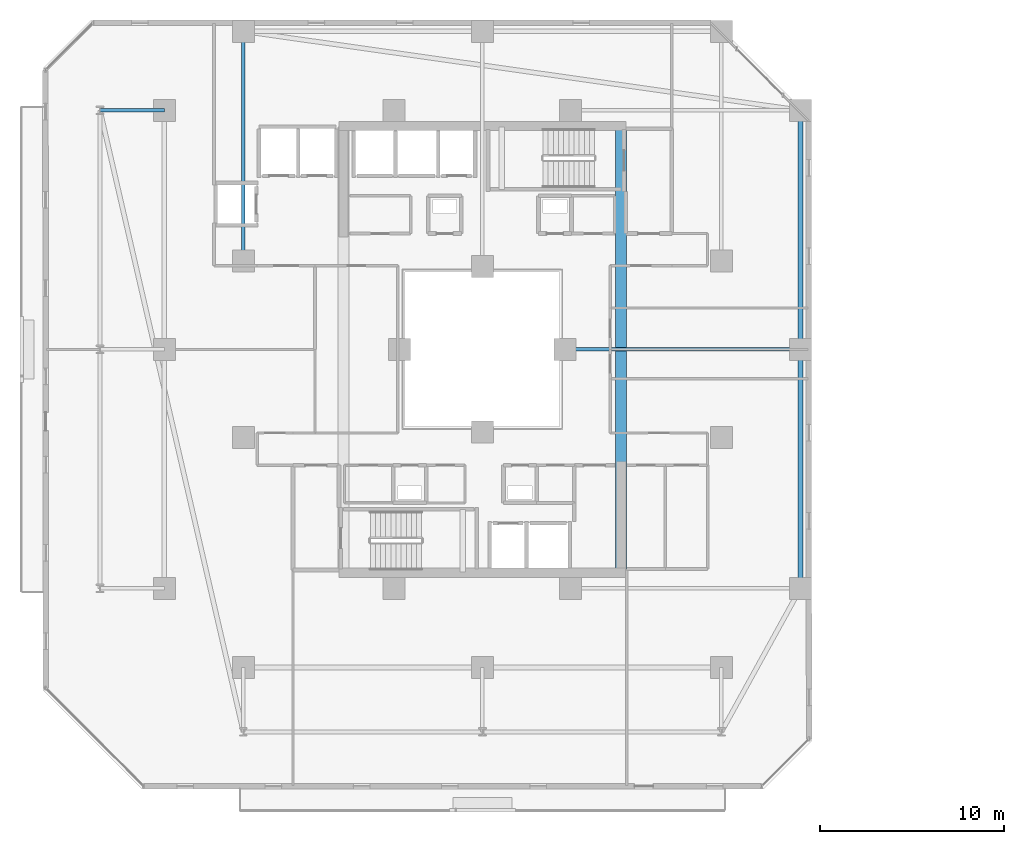
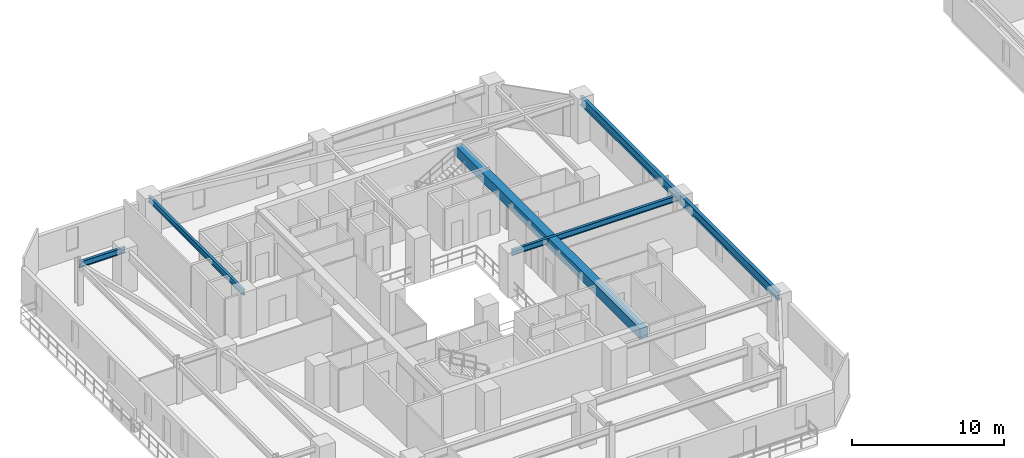
# One storey, part 6 of 33: 6 beams.
"""IFC4 building model written with IfcOpenShell, lengths in metres."""

import ifcopenshell
import ifcopenshell.guid

model = None  # the IFC model being written
_history = None  # IfcOwnerHistory: only IFC2X3 demands one
_inside = {}  # id of a spatial element -> (the spatial element, [elements in it])
_under = {}  # id of a project, library or spatial element -> (it, [spatial elements below it])
_declared = {}  # id of a project -> (the project, [libraries it declares])
_typed = {}  # id of a type object -> (the type object, [elements of that type])
_made_of = {}  # id of a material, layer set ... -> (it, [elements and type objects made of it])


def new_model(schema):
    """Start an empty IFC model of exactly this schema.

    Asked for "IFC4X3", IfcOpenShell would pick the latest addendum, in which some entities
    have other attributes; the version numbers below select the first issue.
    IFC2X3 requires an IfcOwnerHistory on every rooted entity: one is made here for all.
    """
    global model, _history
    if schema == "IFC4X3":
        model = ifcopenshell.file(schema_version=(4, 3, 0, 0))
    else:
        model = ifcopenshell.file(schema=schema)
    _inside.clear()
    _under.clear()
    _declared.clear()
    _typed.clear()
    _made_of.clear()
    _history = None
    if model.schema == "IFC2X3":
        org = make("IfcOrganization", Name="unknown")
        user = make(
            "IfcPersonAndOrganization",
            ThePerson=make("IfcPerson", FamilyName="unknown"),
            TheOrganization=org,
        )
        app = make(
            "IfcApplication",
            ApplicationDeveloper=org,
            Version="unknown",
            ApplicationFullName="unknown",
            ApplicationIdentifier="unknown",
        )
        _history = make(
            "IfcOwnerHistory",
            OwningUser=user,
            OwningApplication=app,
            ChangeAction="ADDED",
            CreationDate=0,
        )
    return model


def make(cls, **values):
    """One entity of the class cls with the attributes given. An attribute that is None is left unset."""
    return model.create_entity(
        cls, **{name: value for name, value in values.items() if value is not None}
    )


def rooted(cls, **values):
    """An entity with a GlobalId (a new one), such as an element, a storey or a relation."""
    return make(cls, GlobalId=ifcopenshell.guid.new(), OwnerHistory=_history, **values)


def si_unit(unit_type, name, prefix=None):
    """IfcSIUnit, for example si_unit("LENGTHUNIT", "METRE", prefix="MILLI")."""
    return make("IfcSIUnit", UnitType=unit_type, Prefix=prefix, Name=name)


def assignment(units):
    """IfcUnitAssignment: the units of a project."""
    return None if units is None else make("IfcUnitAssignment", Units=units)


def point(xyz):
    """IfcCartesianPoint."""
    return None if xyz is None else make("IfcCartesianPoint", Coordinates=xyz)


def direction(xyz):
    """IfcDirection."""
    return None if xyz is None else make("IfcDirection", DirectionRatios=xyz)


def frame(location, z_axis=None, x_axis=None):
    """IfcAxis2Placement3D, a coordinate frame: its origin and axes. An axis left out is left unset."""
    return make(
        "IfcAxis2Placement3D",
        Location=point(location),
        Axis=direction(z_axis),
        RefDirection=direction(x_axis),
    )


def frame_2d(location, x_axis=None):
    """IfcAxis2Placement2D, a coordinate frame in the plane: its origin and x axis."""
    return make(
        "IfcAxis2Placement2D", Location=point(location), RefDirection=direction(x_axis)
    )


def origin():
    """The frame at (0, 0, 0) with its axes left unset."""
    return frame((0.0, 0.0, 0.0))


def origin_2d():
    """The frame at (0, 0) in the plane with its x axis left unset."""
    return frame_2d((0.0, 0.0))


def place(relative_to, where):
    """IfcLocalPlacement: puts the frame where relative to a parent placement (None: the world)."""
    return make(
        "IfcLocalPlacement", PlacementRelTo=relative_to, RelativePlacement=where
    )


def context(
    kind, dimensions, precision=None, world=None, true_north=None, identifier=None
):
    """IfcGeometricRepresentationContext, for example the 3D "Model" context."""
    return make(
        "IfcGeometricRepresentationContext",
        ContextIdentifier=identifier,
        ContextType=kind,
        CoordinateSpaceDimension=dimensions,
        Precision=precision,
        WorldCoordinateSystem=world,
        TrueNorth=true_north,
    )


def subcontext(parent, identifier, kind, view, scale=None):
    """IfcGeometricRepresentationSubContext, for example "Body" below "Model"."""
    return make(
        "IfcGeometricRepresentationSubContext",
        ContextIdentifier=identifier,
        ContextType=kind,
        ParentContext=parent,
        TargetScale=scale,
        TargetView=view,
    )


def project(units=None, contexts=None):
    """IfcProject with its units and contexts."""
    return rooted(
        "IfcProject",
        Name="project",
        RepresentationContexts=contexts,
        UnitsInContext=assignment(units),
    )


def spatial(cls, under=None, at=None, **own):
    """A site, building, storey or space (cls), placed at a placement, below another one or the project."""
    s = rooted(cls, ObjectPlacement=at, **own)
    if under is not None:
        _under.setdefault(under.id(), (under, []))[1].append(s)
    return s


def profile(cls, at=None, kind="AREA", **sizes):
    """A parametric profile (cls). Its sizes go by their IFC names, for example OverallWidth=200.0."""
    return make(cls, ProfileType=kind, Position=at, **sizes)


def rectangle(**sizes):
    """IfcRectangleProfileDef."""
    return profile("IfcRectangleProfileDef", **sizes)


def i_section(**sizes):
    """IfcIShapeProfileDef."""
    return profile("IfcIShapeProfileDef", **sizes)


def extrude(swept, where, along, depth):
    """IfcExtrudedAreaSolid: the profile swept, set in the frame where, extruded along a direction by depth."""
    return make(
        "IfcExtrudedAreaSolid",
        SweptArea=swept,
        Position=where,
        ExtrudedDirection=direction(along),
        Depth=depth,
    )


def shape(context_of_items, identifier, shape_type, items):
    """IfcShapeRepresentation: the items that make up one representation, for example the "Body"."""
    return make(
        "IfcShapeRepresentation",
        ContextOfItems=context_of_items,
        RepresentationIdentifier=identifier,
        RepresentationType=shape_type,
        Items=items,
    )


def material(Name=None, Category=None):
    """IfcMaterial."""
    return make("IfcMaterial", Name=Name, Category=Category)


def material_profile(
    of_material, cross_section, Name=None, Category=None, Priority=None
):
    """IfcMaterialProfile: a cross section and its material."""
    return make(
        "IfcMaterialProfile",
        Name=Name,
        Material=of_material,
        Profile=cross_section,
        Priority=Priority,
        Category=Category,
    )


def profile_set(profiles, Name=None, composite=None):
    """IfcMaterialProfileSet."""
    return make(
        "IfcMaterialProfileSet",
        Name=Name,
        MaterialProfiles=profiles,
        CompositeProfile=composite,
    )


def made_of(thing, what):
    """Note that an element or type object is made of a material, layer set ...; save() writes the relation."""
    if what is not None:
        _made_of.setdefault(what.id(), (what, []))[1].append(thing)
    return thing


def type_object(cls, material=None, **own):
    """A type object (cls), such as IfcWallType, which elements share."""
    return made_of(rooted(cls, **own), material)


def element(
    cls,
    number,
    at=None,
    inside=None,
    cuts=None,
    type_object=None,
    material=None,
    context=None,
    identifier="Body",
    shape_type=None,
    held_by="IfcProductDefinitionShape",
    body=None,
    shapes=None,
    **own,
):
    """One element of the class cls, such as IfcWall. Its Tag is "e" and its number.

    at: its placement. inside: the storey or other place that contains it. cuts: it is an
    opening in that element (IfcRelVoidsElement). A single representation is given by context,
    identifier, shape_type and body (its items); several are given by shapes. held_by: the class
    of the entity that holds the representations. save() writes the other relations.
    """
    e = rooted(cls, Tag="e%d" % number, ObjectPlacement=at, **own)
    if body is not None:
        shapes = [shape(context, identifier, shape_type, body)]
    if shapes is not None:
        e.Representation = make(held_by, Representations=shapes)
    if inside is not None:
        _inside.setdefault(inside.id(), (inside, []))[1].append(e)
    if cuts is not None:
        rooted(
            "IfcRelVoidsElement", RelatingBuildingElement=cuts, RelatedOpeningElement=e
        )
    if type_object is not None:
        _typed.setdefault(type_object.id(), (type_object, []))[1].append(e)
    return made_of(e, material)


def aggregate(whole, parts):
    """IfcRelAggregates: a whole, such as a stair, and the parts it consists of."""
    return rooted("IfcRelAggregates", RelatingObject=whole, RelatedObjects=parts)


def save(model, path):
    """Write the relations noted so far, then the file.

    IfcRelAggregates (storeys below a building ...), IfcRelContainedInSpatialStructure (elements
    in a storey), IfcRelDefinesByType, IfcRelAssociatesMaterial and IfcRelDeclares: one each for
    every whole, place, type object, material and project.
    """
    for whole, parts in _under.values():
        aggregate(whole, parts)
    for where, things in _inside.values():
        rooted(
            "IfcRelContainedInSpatialStructure",
            RelatedElements=things,
            RelatingStructure=where,
        )
    for kind, things in _typed.values():
        rooted("IfcRelDefinesByType", RelatedObjects=things, RelatingType=kind)
    for what, things in _made_of.values():
        rooted("IfcRelAssociatesMaterial", RelatedObjects=things, RelatingMaterial=what)
    for by, libraries in _declared.values():
        rooted("IfcRelDeclares", RelatingContext=by, RelatedDefinitions=libraries)
    model.write(path)


model = new_model("IFC4")

# Units and contexts
model_context = context("Model", 3, precision=1e-05, world=origin(), true_north=direction((0.0, 1.0)))
body_context = subcontext(model_context, "Body", "Model", "MODEL_VIEW")
ifc_project = project(units=[si_unit("LENGTHUNIT", "METRE"), si_unit("AREAUNIT", "SQUARE_METRE"), si_unit("VOLUMEUNIT", "CUBIC_METRE"), si_unit("PLANEANGLEUNIT", "RADIAN"), si_unit("MASSUNIT", "GRAM", prefix="KILO")], contexts=[model_context])

# Site, building, storey
site_placement = place(None, origin())
site = spatial("IfcSite", under=ifc_project, at=site_placement, CompositionType="ELEMENT")
building_placement = place(site_placement, origin())
building = spatial("IfcBuilding", under=site, at=building_placement, Name="Thornwick Lancets Civic Towers", CompositionType="ELEMENT")
storey_placement = place(building_placement, frame((0.0, 0.0, 130.5)))
storey = spatial("IfcBuildingStorey", under=building, at=storey_placement, Name="L34", CompositionType="ELEMENT", Elevation=130.5)

# Beams
ifc_material_1 = material(Name="Concrete C60/75", Category="concrete")
ifc_material_profile_1 = material_profile(ifc_material_1, rectangle(XDim=0.60009765625, YDim=0.800048828125, at=origin_2d()), Name="RC 600x800")
ifc_profile_set_1 = profile_set([ifc_material_profile_1], Name="Concrete C60/75")
beam_type_1 = type_object("IfcBeamType", Name="BM_COUP_RC800", PredefinedType="BEAM", material=ifc_profile_set_1)
beam_1_placement = place(storey_placement, frame((33.050048828125, 14.89990234375, 2.9599609375), z_axis=(0.0, 1.0, 0.0), x_axis=(-1.0, 0.0, 0.0)))
element("IfcBeam", 1, at=beam_1_placement, inside=storey, type_object=beam_type_1, Name="CB-L34-A1", PredefinedType="BEAM", context=body_context, shape_type="SweptSolid", body=[
    extrude(rectangle(XDim=0.60009765625, YDim=0.800048828125, at=origin_2d()), origin(), (0.0, 0.0, 1.0), 24.2001953125),
])
ifc_material_2 = material(Name="Steel S355JR", Category="steel")
ifc_material_profile_2 = material_profile(ifc_material_2, i_section(OverallWidth=0.255859375, OverallDepth=0.69287109375, WebThickness=0.014404296875, FlangeThickness=0.023681640625, FilletRadius=0.01513671875, at=origin_2d()), Name="UKB 686x254x170")
ifc_profile_set_2 = profile_set([ifc_material_profile_2], Name="Steel S355JR")
beam_type_2 = type_object("IfcBeamType", Name="BM_GIRD_686_170", PredefinedType="BEAM", material=ifc_profile_set_2)
beam_2_placement = place(storey_placement, frame((42.800048828125, 14.0, 3.013671875), z_axis=(0.0, 1.0, 0.0), x_axis=(-1.0, 0.0, 0.0)))
element("IfcBeam", 2, at=beam_2_placement, inside=storey, type_object=beam_type_2, Name="BM-SPINE-L34-A-3-4", PredefinedType="BEAM", context=body_context, shape_type="SweptSolid", body=[
    extrude(i_section(OverallWidth=0.255859375, OverallDepth=0.69287109375, WebThickness=0.014404296875, FlangeThickness=0.023681640625, FilletRadius=0.01513671875, at=origin_2d()), origin(), (0.0, 0.0, 1.0), 13.0),
])
beam_3_placement = place(storey_placement, frame((42.800048828125, 27.080078125, 3.013671875), z_axis=(0.0, 1.0, 0.0), x_axis=(-1.0, 0.0, 0.0)))
element("IfcBeam", 3, at=beam_3_placement, inside=storey, type_object=beam_type_2, Name="BM-SPINE-L34-A-4-5", PredefinedType="BEAM", context=body_context, shape_type="SweptSolid", body=[
    extrude(i_section(OverallWidth=0.255859375, OverallDepth=0.69287109375, WebThickness=0.014404296875, FlangeThickness=0.023681640625, FilletRadius=0.01513671875, at=origin_2d()), origin(), (0.0, 0.0, 1.0), 12.919921875),
])
ifc_material_profile_3 = material_profile(ifc_material_2, i_section(OverallWidth=0.19287109375, OverallDepth=0.46728515625, WebThickness=0.011474609375, FlangeThickness=0.01953125, FilletRadius=0.01025390625, at=origin_2d()), Name="UKB 457x191x98")
ifc_profile_set_3 = profile_set([ifc_material_profile_3], Name="Steel S355JR")
beam_type_3 = type_object("IfcBeamType", Name="BM_JOIST_457_98", PredefinedType="JOIST", material=ifc_profile_set_3)
beam_4_placement = place(storey_placement, frame((30.0, 27.0, 3.12646484375), z_axis=(1.0, 0.0, 0.0), x_axis=(0.0, 1.0, 0.0)))
element("IfcBeam", 4, at=beam_4_placement, inside=storey, type_object=beam_type_3, Name="BM-RADIN-L34-A05", PredefinedType="JOIST", context=body_context, shape_type="SweptSolid", body=[
    extrude(i_section(OverallWidth=0.19287109375, OverallDepth=0.46728515625, WebThickness=0.011474609375, FlangeThickness=0.01953125, FilletRadius=0.01025390625, at=origin_2d()), origin(), (0.0, 0.0, 1.0), 12.800048828125),
])
beam_5_placement = place(storey_placement, frame((12.5, 31.800048828125, 3.12646484375), z_axis=(0.0, 1.0, 0.0), x_axis=(-1.0, 0.0, 0.0)))
element("IfcBeam", 5, at=beam_5_placement, inside=storey, type_object=beam_type_3, Name="BM-RADIN-L34-A07", PredefinedType="JOIST", context=body_context, shape_type="SweptSolid", body=[
    extrude(i_section(OverallWidth=0.19287109375, OverallDepth=0.46728515625, WebThickness=0.011474609375, FlangeThickness=0.01953125, FilletRadius=0.01025390625, at=origin_2d()), origin(), (0.0, 0.0, 1.0), 12.5),
])
beam_6_placement = place(storey_placement, frame((8.199951171875, 40.0, 3.12646484375), z_axis=(-1.0, 0.0, 0.0), x_axis=(0.0, -1.0, 0.0)))
element("IfcBeam", 6, at=beam_6_placement, inside=storey, type_object=beam_type_3, Name="BM-RAD-L34-A12", PredefinedType="JOIST", context=body_context, shape_type="SweptSolid", body=[
    extrude(i_section(OverallWidth=0.19287109375, OverallDepth=0.46728515625, WebThickness=0.011474609375, FlangeThickness=0.01953125, FilletRadius=0.01025390625, at=origin_2d()), origin(), (0.0, 0.0, 1.0), 3.5),
])

save(model, "model.ifc")
